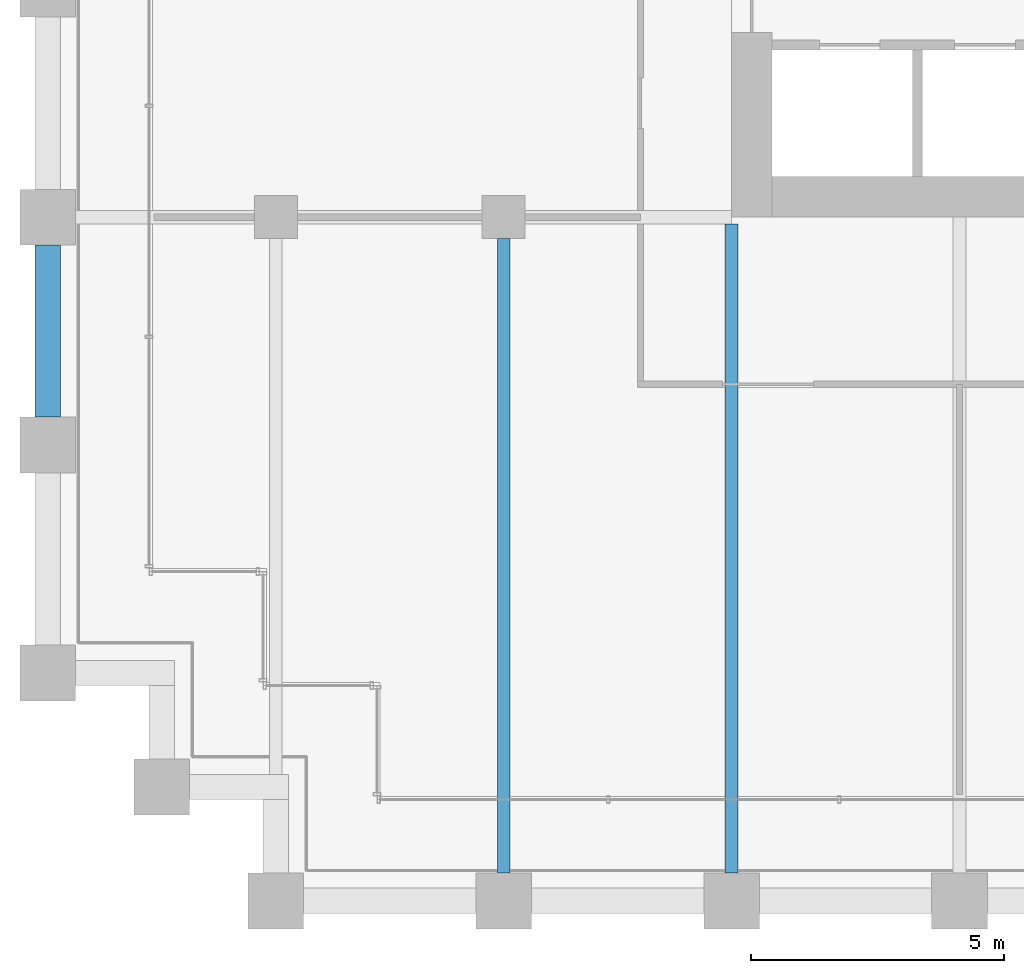
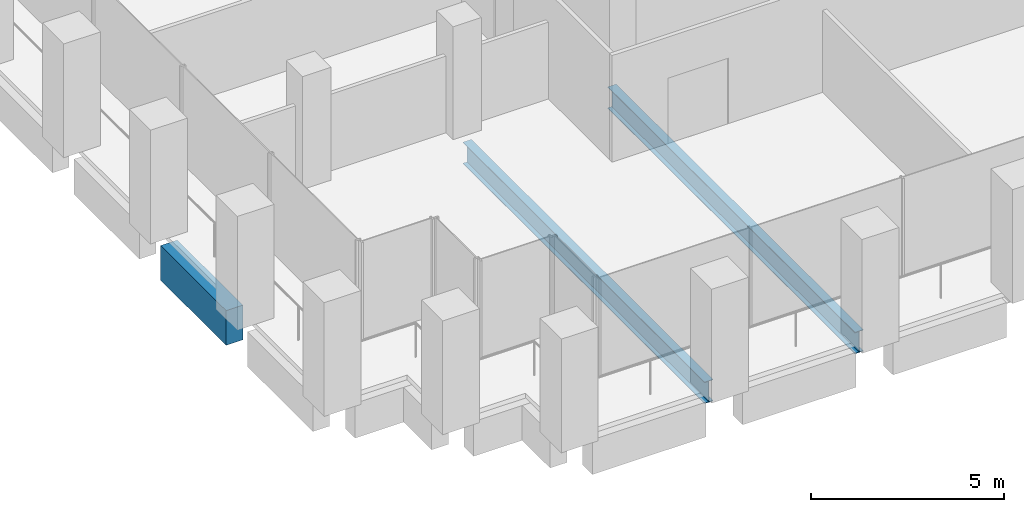
# One storey, part 4 of 56: 3 beams.
"""IFC4 building model written with IfcOpenShell, lengths in metres."""

from ifc_helpers import new_model, si_unit, direction, frame, origin, origin_2d, place, context, subcontext, project, spatial, rectangle, i_section, extrude, material, material_profile, profile_set, type_object, element, save


model = new_model("IFC4")

# Units and contexts
model_context = context("Model", 3, precision=1e-05, world=origin(), true_north=direction((0.0, 1.0)))
body_context = subcontext(model_context, "Body", "Model", "MODEL_VIEW")
ifc_project = project(units=[si_unit("LENGTHUNIT", "METRE"), si_unit("AREAUNIT", "SQUARE_METRE"), si_unit("VOLUMEUNIT", "CUBIC_METRE"), si_unit("PLANEANGLEUNIT", "RADIAN"), si_unit("MASSUNIT", "GRAM", prefix="KILO")], contexts=[model_context])

# Site, building, storey
site_placement = place(None, origin())
site = spatial("IfcSite", under=ifc_project, at=site_placement, CompositionType="ELEMENT")
building_placement = place(site_placement, origin())
building = spatial("IfcBuilding", under=site, at=building_placement, Name="Altepetl Exchange Towers", CompositionType="ELEMENT")
storey_placement = place(building_placement, frame((0.0, 0.0, 83.39990234375)))
storey = spatial("IfcBuildingStorey", under=building, at=storey_placement, Name="L20", CompositionType="ELEMENT", Elevation=83.39990234375)

# Beams
ifc_material_1 = material(Name="Steel S355", Category="steel")
ifc_material_profile_1 = material_profile(ifc_material_1, i_section(OverallWidth=0.25390625, OverallDepth=0.68408203125, WebThickness=0.012451171875, FlangeThickness=0.018798828125, at=origin_2d()), Name="W27X94")
ifc_profile_set_1 = profile_set([ifc_material_profile_1], Name="Steel S355")
beam_type_1 = type_object("IfcBeamType", Name="Floor beam W27X94", PredefinedType="BEAM", material=ifc_profile_set_1)
beam_1_placement = place(storey_placement, frame((36.0, 27.550048828125, -0.491943359375), z_axis=(0.0, 1.0, 0.0), x_axis=(-1.0, 0.0, 0.0)))
element("IfcBeam", 1, at=beam_1_placement, inside=storey, type_object=beam_type_1, Name="bm:A:L20:013", PredefinedType="BEAM", context=body_context, shape_type="SweptSolid", body=[
    extrude(i_section(OverallWidth=0.25390625, OverallDepth=0.68408203125, WebThickness=0.012451171875, FlangeThickness=0.018798828125, at=origin_2d()), origin(), (0.0, 0.0, 1.0), 12.52490234375),
])
beam_2_placement = place(storey_placement, frame((40.5, 27.550048828125, -0.491943359375), z_axis=(0.0, 1.0, 0.0), x_axis=(-1.0, 0.0, 0.0)))
element("IfcBeam", 2, at=beam_2_placement, inside=storey, type_object=beam_type_1, Name="bm:A:L20:014", PredefinedType="BEAM", context=body_context, shape_type="SweptSolid", body=[
    extrude(i_section(OverallWidth=0.25390625, OverallDepth=0.68408203125, WebThickness=0.012451171875, FlangeThickness=0.018798828125, at=origin_2d()), origin(), (0.0, 0.0, 1.0), 12.81591796875),
])
ifc_material_2 = material(Name="Concrete C50/60 precast with cantera blanca facing", Category="concrete")
ifc_material_profile_2 = material_profile(ifc_material_2, rectangle(XDim=0.5, YDim=1.10009765625, at=origin_2d()), Name="500 x 1100")
ifc_profile_set_2 = profile_set([ifc_material_profile_2], Name="Concrete C50/60 precast with cantera blanca facing")
beam_type_2 = type_object("IfcBeamType", Name="Spandrel beam 500x1100 cantera blanca", PredefinedType="SPANDREL", material=ifc_profile_set_2)
beam_3_placement = place(storey_placement, frame((27.0, 39.949951171875, -0.699951171875), z_axis=(0.0, -1.0, 0.0), x_axis=(1.0, 0.0, 0.0)))
element("IfcBeam", 3, at=beam_3_placement, inside=storey, type_object=beam_type_2, Name="sp:A:L20:042", PredefinedType="SPANDREL", context=body_context, shape_type="SweptSolid", body=[
    extrude(rectangle(XDim=0.5, YDim=1.10009765625, at=origin_2d()), origin(), (0.0, 0.0, 1.0), 3.39990234375),
])

save(model, "model.ifc")
